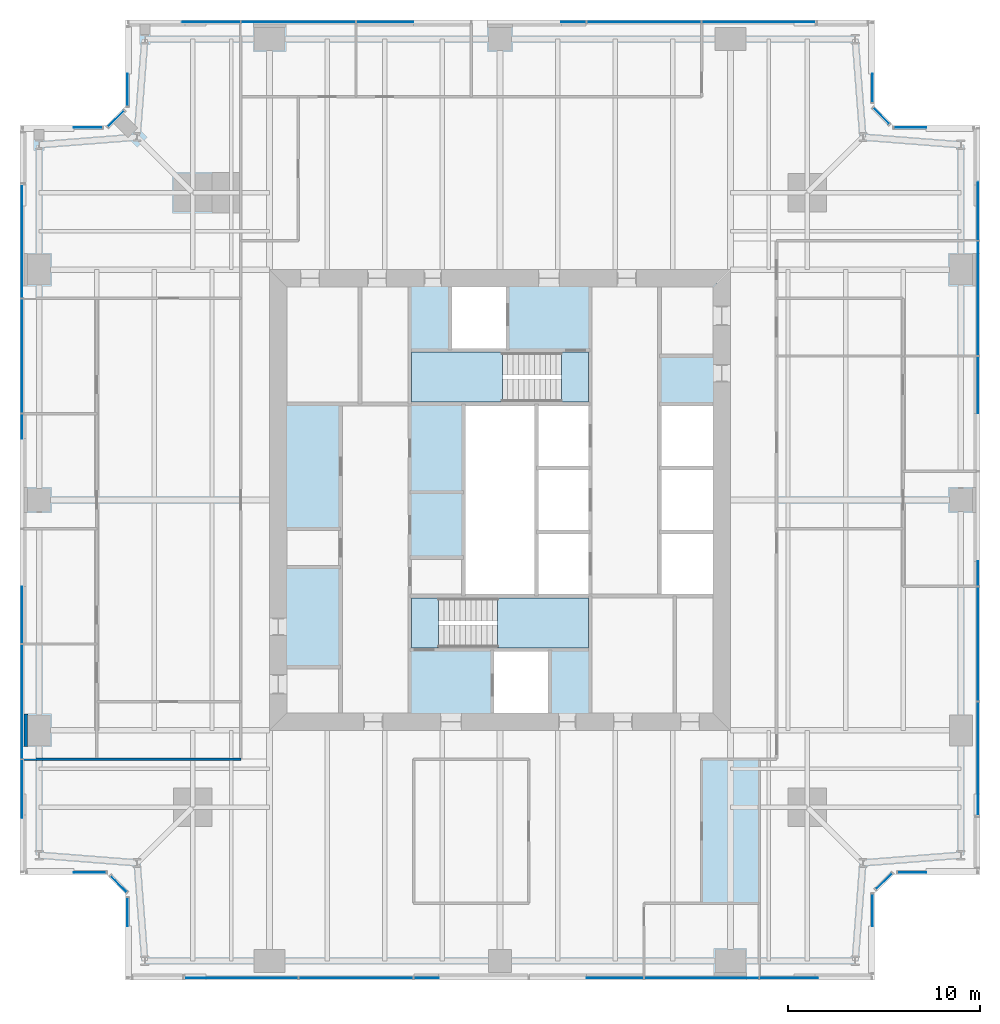
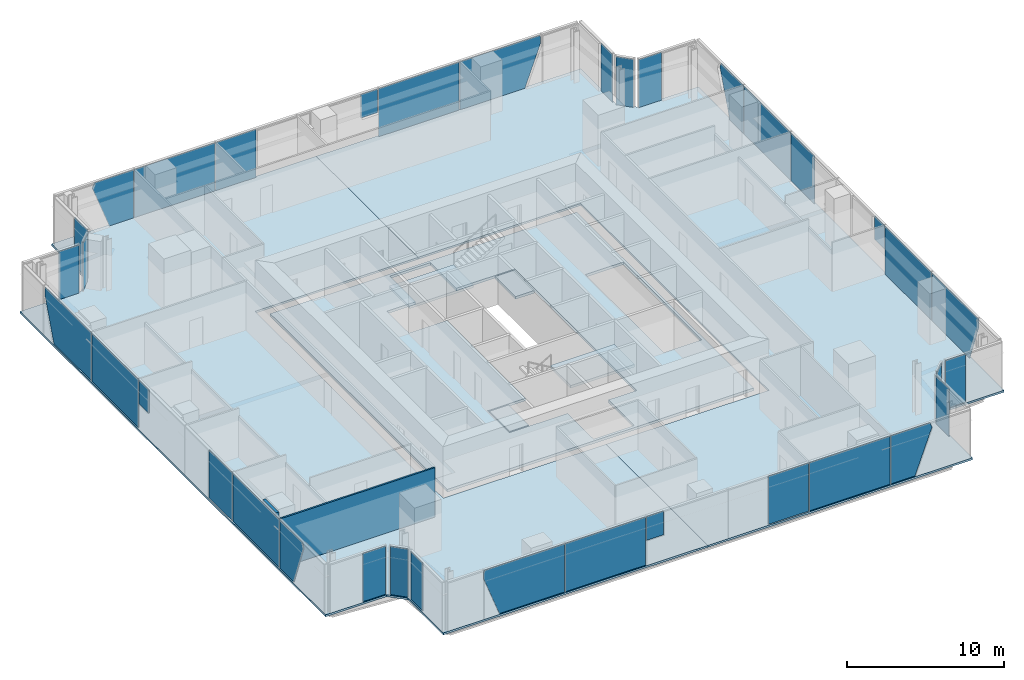
# One storey, part 8 of 16: 36 plates, 7 slabs, 2 walls, 18 elements without a shape of their own.
"""IFC4 building model written with IfcOpenShell, lengths in metres."""

import ifcopenshell
import ifcopenshell.guid

model = None  # the IFC model being written
_history = None  # IfcOwnerHistory: only IFC2X3 demands one
_inside = {}  # id of a spatial element -> (the spatial element, [elements in it])
_under = {}  # id of a project, library or spatial element -> (it, [spatial elements below it])
_declared = {}  # id of a project -> (the project, [libraries it declares])
_typed = {}  # id of a type object -> (the type object, [elements of that type])
_made_of = {}  # id of a material, layer set ... -> (it, [elements and type objects made of it])


def new_model(schema):
    """Start an empty IFC model of exactly this schema.

    Asked for "IFC4X3", IfcOpenShell would pick the latest addendum, in which some entities
    have other attributes; the version numbers below select the first issue.
    IFC2X3 requires an IfcOwnerHistory on every rooted entity: one is made here for all.
    """
    global model, _history
    if schema == "IFC4X3":
        model = ifcopenshell.file(schema_version=(4, 3, 0, 0))
    else:
        model = ifcopenshell.file(schema=schema)
    _inside.clear()
    _under.clear()
    _declared.clear()
    _typed.clear()
    _made_of.clear()
    _history = None
    if model.schema == "IFC2X3":
        org = make("IfcOrganization", Name="unknown")
        user = make(
            "IfcPersonAndOrganization",
            ThePerson=make("IfcPerson", FamilyName="unknown"),
            TheOrganization=org,
        )
        app = make(
            "IfcApplication",
            ApplicationDeveloper=org,
            Version="unknown",
            ApplicationFullName="unknown",
            ApplicationIdentifier="unknown",
        )
        _history = make(
            "IfcOwnerHistory",
            OwningUser=user,
            OwningApplication=app,
            ChangeAction="ADDED",
            CreationDate=0,
        )
    return model


def make(cls, **values):
    """One entity of the class cls with the attributes given. An attribute that is None is left unset."""
    return model.create_entity(
        cls, **{name: value for name, value in values.items() if value is not None}
    )


def rooted(cls, **values):
    """An entity with a GlobalId (a new one), such as an element, a storey or a relation."""
    return make(cls, GlobalId=ifcopenshell.guid.new(), OwnerHistory=_history, **values)


def si_unit(unit_type, name, prefix=None):
    """IfcSIUnit, for example si_unit("LENGTHUNIT", "METRE", prefix="MILLI")."""
    return make("IfcSIUnit", UnitType=unit_type, Prefix=prefix, Name=name)


def assignment(units):
    """IfcUnitAssignment: the units of a project."""
    return None if units is None else make("IfcUnitAssignment", Units=units)


def point(xyz):
    """IfcCartesianPoint."""
    return None if xyz is None else make("IfcCartesianPoint", Coordinates=xyz)


def direction(xyz):
    """IfcDirection."""
    return None if xyz is None else make("IfcDirection", DirectionRatios=xyz)


def frame(location, z_axis=None, x_axis=None):
    """IfcAxis2Placement3D, a coordinate frame: its origin and axes. An axis left out is left unset."""
    return make(
        "IfcAxis2Placement3D",
        Location=point(location),
        Axis=direction(z_axis),
        RefDirection=direction(x_axis),
    )


def frame_2d(location, x_axis=None):
    """IfcAxis2Placement2D, a coordinate frame in the plane: its origin and x axis."""
    return make(
        "IfcAxis2Placement2D", Location=point(location), RefDirection=direction(x_axis)
    )


def origin():
    """The frame at (0, 0, 0) with its axes left unset."""
    return frame((0.0, 0.0, 0.0))


def origin_2d():
    """The frame at (0, 0) in the plane with its x axis left unset."""
    return frame_2d((0.0, 0.0))


def place(relative_to, where):
    """IfcLocalPlacement: puts the frame where relative to a parent placement (None: the world)."""
    return make(
        "IfcLocalPlacement", PlacementRelTo=relative_to, RelativePlacement=where
    )


def context(
    kind, dimensions, precision=None, world=None, true_north=None, identifier=None
):
    """IfcGeometricRepresentationContext, for example the 3D "Model" context."""
    return make(
        "IfcGeometricRepresentationContext",
        ContextIdentifier=identifier,
        ContextType=kind,
        CoordinateSpaceDimension=dimensions,
        Precision=precision,
        WorldCoordinateSystem=world,
        TrueNorth=true_north,
    )


def subcontext(parent, identifier, kind, view, scale=None):
    """IfcGeometricRepresentationSubContext, for example "Body" below "Model"."""
    return make(
        "IfcGeometricRepresentationSubContext",
        ContextIdentifier=identifier,
        ContextType=kind,
        ParentContext=parent,
        TargetScale=scale,
        TargetView=view,
    )


def project(units=None, contexts=None):
    """IfcProject with its units and contexts."""
    return rooted(
        "IfcProject",
        Name="project",
        RepresentationContexts=contexts,
        UnitsInContext=assignment(units),
    )


def spatial(cls, under=None, at=None, **own):
    """A site, building, storey or space (cls), placed at a placement, below another one or the project."""
    s = rooted(cls, ObjectPlacement=at, **own)
    if under is not None:
        _under.setdefault(under.id(), (under, []))[1].append(s)
    return s


def polyline(points):
    """IfcPolyline through the points."""
    return make("IfcPolyline", Points=[point(p) for p in points])


def profile(cls, at=None, kind="AREA", **sizes):
    """A parametric profile (cls). Its sizes go by their IFC names, for example OverallWidth=200.0."""
    return make(cls, ProfileType=kind, Position=at, **sizes)


def rectangle(**sizes):
    """IfcRectangleProfileDef."""
    return profile("IfcRectangleProfileDef", **sizes)


def outline(outer, holes=None, kind="AREA"):
    """IfcArbitraryClosedProfileDef: a profile drawn as a closed curve; with holes, ...WithVoids."""
    if holes is None:
        return make("IfcArbitraryClosedProfileDef", ProfileType=kind, OuterCurve=outer)
    return make(
        "IfcArbitraryProfileDefWithVoids",
        ProfileType=kind,
        OuterCurve=outer,
        InnerCurves=holes,
    )


def extrude(swept, where, along, depth):
    """IfcExtrudedAreaSolid: the profile swept, set in the frame where, extruded along a direction by depth."""
    return make(
        "IfcExtrudedAreaSolid",
        SweptArea=swept,
        Position=where,
        ExtrudedDirection=direction(along),
        Depth=depth,
    )


def shape(context_of_items, identifier, shape_type, items):
    """IfcShapeRepresentation: the items that make up one representation, for example the "Body"."""
    return make(
        "IfcShapeRepresentation",
        ContextOfItems=context_of_items,
        RepresentationIdentifier=identifier,
        RepresentationType=shape_type,
        Items=items,
    )


def material(Name=None, Category=None):
    """IfcMaterial."""
    return make("IfcMaterial", Name=Name, Category=Category)


def layer(
    of_material, thickness, ventilated=None, Name=None, Category=None, Priority=None
):
    """IfcMaterialLayer: one layer of a wall or slab, of a material (None: an air gap)."""
    return make(
        "IfcMaterialLayer",
        Material=of_material,
        LayerThickness=thickness,
        IsVentilated=ventilated,
        Name=Name,
        Category=Category,
        Priority=Priority,
    )


def layer_set(layers, Name=None):
    """IfcMaterialLayerSet."""
    return make("IfcMaterialLayerSet", MaterialLayers=layers, LayerSetName=Name)


def made_of(thing, what):
    """Note that an element or type object is made of a material, layer set ...; save() writes the relation."""
    if what is not None:
        _made_of.setdefault(what.id(), (what, []))[1].append(thing)
    return thing


def type_object(cls, material=None, **own):
    """A type object (cls), such as IfcWallType, which elements share."""
    return made_of(rooted(cls, **own), material)


def element(
    cls,
    number,
    at=None,
    inside=None,
    cuts=None,
    type_object=None,
    material=None,
    context=None,
    identifier="Body",
    shape_type=None,
    held_by="IfcProductDefinitionShape",
    body=None,
    shapes=None,
    **own,
):
    """One element of the class cls, such as IfcWall. Its Tag is "e" and its number.

    at: its placement. inside: the storey or other place that contains it. cuts: it is an
    opening in that element (IfcRelVoidsElement). A single representation is given by context,
    identifier, shape_type and body (its items); several are given by shapes. held_by: the class
    of the entity that holds the representations. save() writes the other relations.
    """
    e = rooted(cls, Tag="e%d" % number, ObjectPlacement=at, **own)
    if body is not None:
        shapes = [shape(context, identifier, shape_type, body)]
    if shapes is not None:
        e.Representation = make(held_by, Representations=shapes)
    if inside is not None:
        _inside.setdefault(inside.id(), (inside, []))[1].append(e)
    if cuts is not None:
        rooted(
            "IfcRelVoidsElement", RelatingBuildingElement=cuts, RelatedOpeningElement=e
        )
    if type_object is not None:
        _typed.setdefault(type_object.id(), (type_object, []))[1].append(e)
    return made_of(e, material)


def aggregate(whole, parts):
    """IfcRelAggregates: a whole, such as a stair, and the parts it consists of."""
    return rooted("IfcRelAggregates", RelatingObject=whole, RelatedObjects=parts)


def save(model, path):
    """Write the relations noted so far, then the file.

    IfcRelAggregates (storeys below a building ...), IfcRelContainedInSpatialStructure (elements
    in a storey), IfcRelDefinesByType, IfcRelAssociatesMaterial and IfcRelDeclares: one each for
    every whole, place, type object, material and project.
    """
    for whole, parts in _under.values():
        aggregate(whole, parts)
    for where, things in _inside.values():
        rooted(
            "IfcRelContainedInSpatialStructure",
            RelatedElements=things,
            RelatingStructure=where,
        )
    for kind, things in _typed.values():
        rooted("IfcRelDefinesByType", RelatedObjects=things, RelatingType=kind)
    for what, things in _made_of.values():
        rooted("IfcRelAssociatesMaterial", RelatedObjects=things, RelatingMaterial=what)
    for by, libraries in _declared.values():
        rooted("IfcRelDeclares", RelatingContext=by, RelatedDefinitions=libraries)
    model.write(path)


model = new_model("IFC4")

# Units and contexts
model_context = context("Model", 3, precision=1e-05, world=origin(), true_north=direction((0.0, 1.0)))
body_context = subcontext(model_context, "Body", "Model", "MODEL_VIEW")
ifc_project = project(units=[si_unit("LENGTHUNIT", "METRE"), si_unit("AREAUNIT", "SQUARE_METRE"), si_unit("VOLUMEUNIT", "CUBIC_METRE"), si_unit("PLANEANGLEUNIT", "RADIAN"), si_unit("MASSUNIT", "GRAM", prefix="KILO")], contexts=[model_context])

# Site, building, storey
site_placement = place(None, origin())
site = spatial("IfcSite", under=ifc_project, at=site_placement, CompositionType="ELEMENT")
building_placement = place(site_placement, origin())
building = spatial("IfcBuilding", under=site, at=building_placement, Name="Fenwick Lantern Interchange", CompositionType="ELEMENT")
storey_placement = place(building_placement, frame((0.0, 0.0, 181.800048828125)))
storey = spatial("IfcBuildingStorey", under=building, at=storey_placement, Name="L42", CompositionType="ELEMENT", Elevation=181.800048828125)

# Slabs
ifc_material_1 = material(Name="Concrete f'c 35 MPa", Category="concrete")
ifc_layer_1 = layer(ifc_material_1, 0.199951171875)
ifc_layer_set_1 = layer_set([ifc_layer_1], Name="CORE FLOOR SLAB 200")
slab_type_1 = type_object("IfcSlabType", Name="CORE FLOOR SLAB 200", PredefinedType="FLOOR", material=ifc_layer_set_1)
slab_1_placement = place(storey_placement, frame((0.0, 0.0, -0.199951171875)))
element("IfcSlab", 1, at=slab_1_placement, inside=storey, type_object=slab_type_1, Name="L42/SLAB/CORE", PredefinedType="FLOOR", context=body_context, shape_type="SweptSolid", body=[
    extrude(outline(polyline([(13.699951171875, 36.300048828125), (36.300048828125, 36.300048828125), (36.300048828125, 13.699951171875), (13.699951171875, 13.699951171875), (13.699951171875, 36.300048828125)]), holes=[polyline([(24.60009765625, 13.89990234375), (27.60009765625, 13.89990234375), (27.60009765625, 17.199951171875), (29.699951171875, 17.199951171875), (29.699951171875, 20.0), (29.699951171875, 23.333251953125), (29.699951171875, 26.666748046875), (29.699951171875, 30.0), (29.699951171875, 32.800048828125), (25.39990234375, 32.800048828125), (25.39990234375, 36.10009765625), (22.39990234375, 36.10009765625), (22.39990234375, 32.800048828125), (20.300048828125, 32.800048828125), (20.300048828125, 30.0), (23.10009765625, 30.0), (23.10009765625, 20.0), (20.300048828125, 20.0), (20.300048828125, 17.199951171875), (24.60009765625, 17.199951171875), (24.60009765625, 13.89990234375)]), polyline([(33.300048828125, 23.333251953125), (33.300048828125, 20.0), (36.10009765625, 20.0), (36.10009765625, 23.333251953125), (36.10009765625, 26.666748046875), (36.10009765625, 30.0), (33.300048828125, 30.0), (33.300048828125, 26.666748046875), (33.300048828125, 23.333251953125)])]), origin(), (0.0, 0.0, 1.0), 0.199951171875),
])
ifc_material_2 = material(Name="Concrete f'c 35 MPa", Category="concrete")
ifc_layer_2 = layer(ifc_material_2, 0.14990234375)
ifc_layer_set_2 = layer_set([ifc_layer_2], Name="Concrete f'c 35 MPa")
slab_type_2 = type_object("IfcSlabType", Name="FLOOR SLAB 150", PredefinedType="FLOOR", material=ifc_layer_set_2)
slab_2_placement = place(storey_placement, frame((0.0, 0.0, -0.150146484375)))
element("IfcSlab", 2, at=slab_2_placement, inside=storey, type_object=slab_type_2, Name="L42/SLAB/FW", PredefinedType="FLOOR", context=body_context, shape_type="SweptSolid", body=[
    extrude(outline(polyline([(5.5, 0.0), (5.5, 4.5), (4.5, 5.5), (0.0, 5.5), (0.0, 44.5), (4.5, 44.5), (5.5, 45.5), (5.5, 50.0), (25.0, 50.0), (25.0, 37.0), (13.0, 37.0), (13.0, 13.0), (25.0, 13.0), (25.0, 0.0), (5.5, 0.0)])), origin(), (0.0, 0.0, 1.0), 0.150146484375),
])
slab_3_placement = place(storey_placement, frame((0.0, 0.0, -0.150146484375)))
element("IfcSlab", 3, at=slab_3_placement, inside=storey, type_object=slab_type_2, Name="L42/SLAB/FE", PredefinedType="FLOOR", context=body_context, shape_type="SweptSolid", body=[
    extrude(outline(polyline([(44.5, 50.0), (44.5, 45.5), (45.5, 44.5), (50.0, 44.5), (50.0, 5.5), (45.5, 5.5), (44.5, 4.5), (44.5, 0.0), (25.0, 0.0), (25.0, 13.0), (37.0, 13.0), (37.0, 37.0), (25.0, 37.0), (25.0, 50.0), (44.5, 50.0)])), origin(), (0.0, 0.0, 1.0), 0.150146484375),
])

# Curtain wall, plates
ifc_material_3 = material(Name="Aluminium curtain wall frame", Category="aluminium")
curtain_wall_type = type_object("IfcCurtainWallType", Name="OFFICE CURTAIN WALL", PredefinedType="USERDEFINED", material=ifc_material_3)
curtain_wall_1_placement = place(storey_placement, origin())
curtain_wall_1 = element("IfcCurtainWall", 4, at=curtain_wall_1_placement, inside=storey, type_object=curtain_wall_type, Name="Office curtain wall 01", ObjectType="OFFICE CURTAIN WALL", PredefinedType="USERDEFINED")
ifc_material_4 = material(Name="Vision glass, clear low-iron double glazed", Category="glass")
ifc_layer_3 = layer(ifc_material_4, 0.031982421875)
ifc_layer_set_3 = layer_set([ifc_layer_3], Name="OFFICE CURTAIN WALL PANEL 32")
plate_type = type_object("IfcPlateType", Name="OFFICE CURTAIN WALL PANEL 32", PredefinedType="CURTAIN_PANEL", material=ifc_layer_set_3)
plate_1_placement = place(storey_placement, frame((5.60009765625, 0.10009765625, 0.0), z_axis=(0.0, 0.0, 1.0), x_axis=(1.0, 0.0, 0.0)))
plate_1 = element("IfcPlate", 5, at=plate_1_placement, type_object=plate_type, Name="L42/CW/01/P01a", PredefinedType="CURTAIN_PANEL", context=body_context, shape_type="SweptSolid", body=[
    extrude(outline(polyline([(4.08154296875, 0.0), (8.867431640625, 0.0), (8.867431640625, 3.75), (2.987548828125, 3.75), (2.9326171875, 3.614501953125), (2.9326171875, 3.092041015625), (4.08154296875, 0.0)])), frame((0.0, 0.01611328125, 0.0), z_axis=(0.0, -1.0, 0.0), x_axis=(1.0, 0.0, 0.0)), (0.0, 0.0, 1.0), 0.031982421875),
])
plate_2_placement = place(storey_placement, frame((17.5, 0.10009765625, 0.0), z_axis=(0.0, 0.0, 1.0), x_axis=(1.0, 0.0, 0.0)))
plate_2 = element("IfcPlate", 6, at=plate_2_placement, type_object=plate_type, Name="L42/CW/01/P02", PredefinedType="CURTAIN_PANEL", context=body_context, shape_type="SweptSolid", body=[
    extrude(rectangle(XDim=5.93505859375, YDim=0.031982421875, at=origin_2d()), origin(), (0.0, 0.0, 1.0), 3.75),
])
plate_3_placement = place(storey_placement, frame((5.60009765625, 0.10009765625, 1.90771484375), z_axis=(0.0, 0.0, 1.0), x_axis=(1.0, 0.0, 0.0)))
plate_3 = element("IfcPlate", 7, at=plate_3_placement, type_object=plate_type, Name="L42/CW/01/P03a", PredefinedType="CURTAIN_PANEL", context=body_context, shape_type="SweptSolid", body=[
    extrude(outline(polyline([(14.9326171875, 0.0), (16.197509765625, 0.0), (16.197509765625, 1.84228515625), (14.9326171875, 1.84228515625), (14.9326171875, 0.0)])), frame((0.0, 0.01611328125, 0.0), z_axis=(0.0, -1.0, 0.0), x_axis=(1.0, 0.0, 0.0)), (0.0, 0.0, 1.0), 0.031982421875),
])
plate_4_placement = place(storey_placement, frame((5.60009765625, 0.10009765625, 0.001953125), z_axis=(0.0, 0.0, 1.0), x_axis=(1.0, 0.0, 0.0)))
plate_4 = element("IfcPlate", 8, at=plate_4_placement, type_object=plate_type, Name="L42/CW/01/P04a", PredefinedType="CURTAIN_PANEL", context=body_context, shape_type="SweptSolid", body=[
    extrude(outline(polyline([(23.909912109375, 0.0), (26.867431640625, 0.0), (26.867431640625, 3.748046875), (23.909912109375, 3.748046875), (23.909912109375, 0.0)])), frame((0.0, 0.01611328125, 0.0), z_axis=(0.0, -1.0, 0.0), x_axis=(1.0, 0.0, 0.0)), (0.0, 0.0, 1.0), 0.031982421875),
])
plate_5_placement = place(storey_placement, frame((35.5, 0.10009765625, 0.0), z_axis=(0.0, 0.0, 1.0), x_axis=(1.0, 0.0, 0.0)))
plate_5 = element("IfcPlate", 9, at=plate_5_placement, type_object=plate_type, Name="L42/CW/01/P05", PredefinedType="CURTAIN_PANEL", context=body_context, shape_type="SweptSolid", body=[
    extrude(rectangle(XDim=5.93505859375, YDim=0.031982421875, at=origin_2d()), origin(), (0.0, 0.0, 1.0), 3.75),
])
plate_6_placement = place(storey_placement, frame((5.60009765625, 0.10009765625, 0.0), z_axis=(0.0, 0.0, 1.0), x_axis=(1.0, 0.0, 0.0)))
plate_6 = element("IfcPlate", 10, at=plate_6_placement, type_object=plate_type, Name="L42/CW/01/P06a", PredefinedType="CURTAIN_PANEL", context=body_context, shape_type="SweptSolid", body=[
    extrude(outline(polyline([(32.9326171875, 0.0), (34.718505859375, 0.0), (35.968994140625, 3.364990234375), (35.8125, 3.75), (32.9326171875, 3.75), (32.9326171875, 0.0)])), frame((0.0, 0.01611328125, 0.0), z_axis=(0.0, -1.0, 0.0), x_axis=(1.0, 0.0, 0.0)), (0.0, 0.0, 1.0), 0.031982421875),
])
aggregate(curtain_wall_1, [plate_1, plate_2, plate_3, plate_4, plate_5, plate_6])

# Curtain wall, plate
curtain_wall_2_placement = place(storey_placement, origin())
curtain_wall_2 = element("IfcCurtainWall", 11, at=curtain_wall_2_placement, inside=storey, type_object=curtain_wall_type, Name="Office curtain wall 02", ObjectType="OFFICE CURTAIN WALL", PredefinedType="USERDEFINED")
plate_7_placement = place(storey_placement, frame((44.39990234375, 0.10009765625, 0.0), z_axis=(0.0, 0.0, 1.0), x_axis=(0.0, 1.0, 0.0)))
plate_7 = element("IfcPlate", 12, at=plate_7_placement, type_object=plate_type, Name="L42/CW/02/P00a", PredefinedType="CURTAIN_PANEL", context=body_context, shape_type="SweptSolid", body=[
    extrude(outline(polyline([(2.699951171875, 0.0), (4.37646484375, 0.0), (4.37646484375, 3.75), (2.699951171875, 3.75), (2.699951171875, 0.0)])), frame((0.0, 0.01611328125, 0.0), z_axis=(0.0, -1.0, 0.0), x_axis=(1.0, 0.0, 0.0)), (0.0, 0.0, 1.0), 0.031982421875),
])
aggregate(curtain_wall_2, [plate_7])

curtain_wall_3_placement = place(storey_placement, origin())
curtain_wall_3 = element("IfcCurtainWall", 13, at=curtain_wall_3_placement, inside=storey, type_object=curtain_wall_type, Name="Office curtain wall 03", ObjectType="OFFICE CURTAIN WALL", PredefinedType="USERDEFINED")
plate_8_placement = place(storey_placement, frame((45.0, 5.141357421875, 0.0), z_axis=(0.0, 0.0, 1.0), x_axis=(0.707106781187, 0.707106781187, 0.0)))
plate_8 = element("IfcPlate", 14, at=plate_8_placement, type_object=plate_type, Name="L42/CW/03/P00", PredefinedType="CURTAIN_PANEL", context=body_context, shape_type="SweptSolid", body=[
    extrude(rectangle(XDim=1.1669921875, YDim=0.031982421875, at=origin_2d()), origin(), (0.0, 0.0, 1.0), 3.75),
])
aggregate(curtain_wall_3, [plate_8])

curtain_wall_4_placement = place(storey_placement, origin())
curtain_wall_4 = element("IfcCurtainWall", 15, at=curtain_wall_4_placement, inside=storey, type_object=curtain_wall_type, Name="Office curtain wall 04", ObjectType="OFFICE CURTAIN WALL", PredefinedType="USERDEFINED")
plate_9_placement = place(storey_placement, frame((45.45849609375, 5.60009765625, 0.0), z_axis=(0.0, 0.0, 1.0), x_axis=(1.0, 0.0, 0.0)))
plate_9 = element("IfcPlate", 16, at=plate_9_placement, type_object=plate_type, Name="L42/CW/04/P00a", PredefinedType="CURTAIN_PANEL", context=body_context, shape_type="SweptSolid", body=[
    extrude(outline(polyline([(0.264892578125, 0.0), (1.741455078125, 0.0), (1.741455078125, 3.75), (0.264892578125, 3.75), (0.264892578125, 0.0)])), frame((0.0, 0.01611328125, 0.0), z_axis=(0.0, -1.0, 0.0), x_axis=(1.0, 0.0, 0.0)), (0.0, 0.0, 1.0), 0.031982421875),
])
aggregate(curtain_wall_4, [plate_9])

# Curtain wall, plates
curtain_wall_5_placement = place(storey_placement, origin())
curtain_wall_5 = element("IfcCurtainWall", 17, at=curtain_wall_5_placement, inside=storey, type_object=curtain_wall_type, Name="Office curtain wall 05", ObjectType="OFFICE CURTAIN WALL", PredefinedType="USERDEFINED")
plate_10_placement = place(storey_placement, frame((49.89990234375, 5.60009765625, 0.0), z_axis=(0.0, 0.0, 1.0), x_axis=(0.0, 1.0, 0.0)))
plate_10 = element("IfcPlate", 18, at=plate_10_placement, type_object=plate_type, Name="L42/CW/05/P01a", PredefinedType="CURTAIN_PANEL", context=body_context, shape_type="SweptSolid", body=[
    extrude(outline(polyline([(4.08154296875, 0.0), (8.867431640625, 0.0), (8.867431640625, 3.75), (2.987548828125, 3.75), (2.9326171875, 3.614501953125), (2.9326171875, 3.092041015625), (4.08154296875, 0.0)])), frame((0.0, 0.01611328125, 0.0), z_axis=(0.0, -1.0, 0.0), x_axis=(1.0, 0.0, 0.0)), (0.0, 0.0, 1.0), 0.031982421875),
])
plate_11_placement = place(storey_placement, frame((49.89990234375, 17.5, 0.0), z_axis=(0.0, 0.0, 1.0), x_axis=(0.0, 1.0, 0.0)))
plate_11 = element("IfcPlate", 19, at=plate_11_placement, type_object=plate_type, Name="L42/CW/05/P02", PredefinedType="CURTAIN_PANEL", context=body_context, shape_type="SweptSolid", body=[
    extrude(rectangle(XDim=5.93505859375, YDim=0.031982421875, at=origin_2d()), origin(), (0.0, 0.0, 1.0), 3.75),
])
plate_12_placement = place(storey_placement, frame((49.89990234375, 5.60009765625, 1.90771484375), z_axis=(0.0, 0.0, 1.0), x_axis=(0.0, 1.0, 0.0)))
plate_12 = element("IfcPlate", 20, at=plate_12_placement, type_object=plate_type, Name="L42/CW/05/P03a", PredefinedType="CURTAIN_PANEL", context=body_context, shape_type="SweptSolid", body=[
    extrude(outline(polyline([(14.9326171875, 0.0), (16.197509765625, 0.0), (16.197509765625, 1.84228515625), (14.9326171875, 1.84228515625), (14.9326171875, 0.0)])), frame((0.0, 0.01611328125, 0.0), z_axis=(0.0, -1.0, 0.0), x_axis=(1.0, 0.0, 0.0)), (0.0, 0.0, 1.0), 0.031982421875),
])
plate_13_placement = place(storey_placement, frame((49.89990234375, 5.60009765625, 0.001953125), z_axis=(0.0, 0.0, 1.0), x_axis=(0.0, 1.0, 0.0)))
plate_13 = element("IfcPlate", 21, at=plate_13_placement, type_object=plate_type, Name="L42/CW/05/P04a", PredefinedType="CURTAIN_PANEL", context=body_context, shape_type="SweptSolid", body=[
    extrude(outline(polyline([(23.909912109375, 0.0), (26.867431640625, 0.0), (26.867431640625, 3.748046875), (23.909912109375, 3.748046875), (23.909912109375, 0.0)])), frame((0.0, 0.01611328125, 0.0), z_axis=(0.0, -1.0, 0.0), x_axis=(1.0, 0.0, 0.0)), (0.0, 0.0, 1.0), 0.031982421875),
])
plate_14_placement = place(storey_placement, frame((49.89990234375, 35.5, 0.0), z_axis=(0.0, 0.0, 1.0), x_axis=(0.0, 1.0, 0.0)))
plate_14 = element("IfcPlate", 22, at=plate_14_placement, type_object=plate_type, Name="L42/CW/05/P05", PredefinedType="CURTAIN_PANEL", context=body_context, shape_type="SweptSolid", body=[
    extrude(rectangle(XDim=5.93505859375, YDim=0.031982421875, at=origin_2d()), origin(), (0.0, 0.0, 1.0), 3.75),
])
plate_15_placement = place(storey_placement, frame((49.89990234375, 5.60009765625, 0.0), z_axis=(0.0, 0.0, 1.0), x_axis=(0.0, 1.0, 0.0)))
plate_15 = element("IfcPlate", 23, at=plate_15_placement, type_object=plate_type, Name="L42/CW/05/P06a", PredefinedType="CURTAIN_PANEL", context=body_context, shape_type="SweptSolid", body=[
    extrude(outline(polyline([(32.9326171875, 0.0), (34.718505859375, 0.0), (35.968994140625, 3.364990234375), (35.8125, 3.75), (32.9326171875, 3.75), (32.9326171875, 0.0)])), frame((0.0, 0.01611328125, 0.0), z_axis=(0.0, -1.0, 0.0), x_axis=(1.0, 0.0, 0.0)), (0.0, 0.0, 1.0), 0.031982421875),
])
aggregate(curtain_wall_5, [plate_10, plate_11, plate_12, plate_13, plate_14, plate_15])

# Curtain wall, plate
curtain_wall_6_placement = place(storey_placement, origin())
curtain_wall_6 = element("IfcCurtainWall", 24, at=curtain_wall_6_placement, inside=storey, type_object=curtain_wall_type, Name="Office curtain wall 06", ObjectType="OFFICE CURTAIN WALL", PredefinedType="USERDEFINED")
plate_16_placement = place(storey_placement, frame((49.89990234375, 44.39990234375, 0.0), z_axis=(0.0, 0.0, 1.0), x_axis=(-1.0, 0.0, 0.0)))
plate_16 = element("IfcPlate", 25, at=plate_16_placement, type_object=plate_type, Name="L42/CW/06/P00a", PredefinedType="CURTAIN_PANEL", context=body_context, shape_type="SweptSolid", body=[
    extrude(outline(polyline([(2.699951171875, 0.0), (4.37646484375, 0.0), (4.37646484375, 3.75), (2.699951171875, 3.75), (2.699951171875, 0.0)])), frame((0.0, 0.01611328125, 0.0), z_axis=(0.0, -1.0, 0.0), x_axis=(1.0, 0.0, 0.0)), (0.0, 0.0, 1.0), 0.031982421875),
])
aggregate(curtain_wall_6, [plate_16])

curtain_wall_7_placement = place(storey_placement, origin())
curtain_wall_7 = element("IfcCurtainWall", 26, at=curtain_wall_7_placement, inside=storey, type_object=curtain_wall_type, Name="Office curtain wall 07", ObjectType="OFFICE CURTAIN WALL", PredefinedType="USERDEFINED")
plate_17_placement = place(storey_placement, frame((44.858642578125, 45.0, 0.0), z_axis=(0.0, 0.0, 1.0), x_axis=(-0.707106781187, 0.707106781187, 0.0)))
plate_17 = element("IfcPlate", 27, at=plate_17_placement, type_object=plate_type, Name="L42/CW/07/P00", PredefinedType="CURTAIN_PANEL", context=body_context, shape_type="SweptSolid", body=[
    extrude(rectangle(XDim=1.1669921875, YDim=0.031982421875, at=origin_2d()), origin(), (0.0, 0.0, 1.0), 3.75),
])
aggregate(curtain_wall_7, [plate_17])

curtain_wall_8_placement = place(storey_placement, origin())
curtain_wall_8 = element("IfcCurtainWall", 28, at=curtain_wall_8_placement, inside=storey, type_object=curtain_wall_type, Name="Office curtain wall 08", ObjectType="OFFICE CURTAIN WALL", PredefinedType="USERDEFINED")
plate_18_placement = place(storey_placement, frame((44.39990234375, 45.45849609375, 0.0), z_axis=(0.0, 0.0, 1.0), x_axis=(0.0, 1.0, 0.0)))
plate_18 = element("IfcPlate", 29, at=plate_18_placement, type_object=plate_type, Name="L42/CW/08/P00a", PredefinedType="CURTAIN_PANEL", context=body_context, shape_type="SweptSolid", body=[
    extrude(outline(polyline([(0.264892578125, 0.0), (1.741455078125, 0.0), (1.741455078125, 3.75), (0.264892578125, 3.75), (0.264892578125, 0.0)])), frame((0.0, 0.01611328125, 0.0), z_axis=(0.0, -1.0, 0.0), x_axis=(1.0, 0.0, 0.0)), (0.0, 0.0, 1.0), 0.031982421875),
])
aggregate(curtain_wall_8, [plate_18])

# Curtain wall, plates
curtain_wall_9_placement = place(storey_placement, origin())
curtain_wall_9 = element("IfcCurtainWall", 30, at=curtain_wall_9_placement, inside=storey, type_object=curtain_wall_type, Name="Office curtain wall 09", ObjectType="OFFICE CURTAIN WALL", PredefinedType="USERDEFINED")
plate_19_placement = place(storey_placement, frame((44.39990234375, 49.89990234375, 0.0), z_axis=(0.0, 0.0, 1.0), x_axis=(-1.0, 0.0, 0.0)))
plate_19 = element("IfcPlate", 31, at=plate_19_placement, type_object=plate_type, Name="L42/CW/09/P01a", PredefinedType="CURTAIN_PANEL", context=body_context, shape_type="SweptSolid", body=[
    extrude(outline(polyline([(4.08154296875, 0.0), (8.867431640625, 0.0), (8.867431640625, 3.75), (2.987548828125, 3.75), (2.9326171875, 3.614501953125), (2.9326171875, 3.092041015625), (4.08154296875, 0.0)])), frame((0.0, 0.01611328125, 0.0), z_axis=(0.0, -1.0, 0.0), x_axis=(1.0, 0.0, 0.0)), (0.0, 0.0, 1.0), 0.031982421875),
])
plate_20_placement = place(storey_placement, frame((32.5, 49.89990234375, 0.0), z_axis=(0.0, 0.0, 1.0), x_axis=(-1.0, 0.0, 0.0)))
plate_20 = element("IfcPlate", 32, at=plate_20_placement, type_object=plate_type, Name="L42/CW/09/P02", PredefinedType="CURTAIN_PANEL", context=body_context, shape_type="SweptSolid", body=[
    extrude(rectangle(XDim=5.93505859375, YDim=0.031982421875, at=origin_2d()), origin(), (0.0, 0.0, 1.0), 3.75),
])
plate_21_placement = place(storey_placement, frame((44.39990234375, 49.89990234375, 1.90771484375), z_axis=(0.0, 0.0, 1.0), x_axis=(-1.0, 0.0, 0.0)))
plate_21 = element("IfcPlate", 33, at=plate_21_placement, type_object=plate_type, Name="L42/CW/09/P03a", PredefinedType="CURTAIN_PANEL", context=body_context, shape_type="SweptSolid", body=[
    extrude(outline(polyline([(14.9326171875, 0.0), (16.197509765625, 0.0), (16.197509765625, 1.84228515625), (14.9326171875, 1.84228515625), (14.9326171875, 0.0)])), frame((0.0, 0.01611328125, 0.0), z_axis=(0.0, -1.0, 0.0), x_axis=(1.0, 0.0, 0.0)), (0.0, 0.0, 1.0), 0.031982421875),
])
plate_22_placement = place(storey_placement, frame((44.39990234375, 49.89990234375, 0.001953125), z_axis=(0.0, 0.0, 1.0), x_axis=(-1.0, 0.0, 0.0)))
plate_22 = element("IfcPlate", 34, at=plate_22_placement, type_object=plate_type, Name="L42/CW/09/P04a", PredefinedType="CURTAIN_PANEL", context=body_context, shape_type="SweptSolid", body=[
    extrude(outline(polyline([(23.909912109375, 0.0), (26.867431640625, 0.0), (26.867431640625, 3.748046875), (23.909912109375, 3.748046875), (23.909912109375, 0.0)])), frame((0.0, 0.01611328125, 0.0), z_axis=(0.0, -1.0, 0.0), x_axis=(1.0, 0.0, 0.0)), (0.0, 0.0, 1.0), 0.031982421875),
])
plate_23_placement = place(storey_placement, frame((14.5, 49.89990234375, 0.0), z_axis=(0.0, 0.0, 1.0), x_axis=(-1.0, 0.0, 0.0)))
plate_23 = element("IfcPlate", 35, at=plate_23_placement, type_object=plate_type, Name="L42/CW/09/P05", PredefinedType="CURTAIN_PANEL", context=body_context, shape_type="SweptSolid", body=[
    extrude(rectangle(XDim=5.93505859375, YDim=0.031982421875, at=origin_2d()), origin(), (0.0, 0.0, 1.0), 3.75),
])
plate_24_placement = place(storey_placement, frame((44.39990234375, 49.89990234375, 0.0), z_axis=(0.0, 0.0, 1.0), x_axis=(-1.0, 0.0, 0.0)))
plate_24 = element("IfcPlate", 36, at=plate_24_placement, type_object=plate_type, Name="L42/CW/09/P06a", PredefinedType="CURTAIN_PANEL", context=body_context, shape_type="SweptSolid", body=[
    extrude(outline(polyline([(32.9326171875, 0.0), (34.718505859375, 0.0), (35.968994140625, 3.364990234375), (35.8125, 3.75), (32.9326171875, 3.75), (32.9326171875, 0.0)])), frame((0.0, 0.01611328125, 0.0), z_axis=(0.0, -1.0, 0.0), x_axis=(1.0, 0.0, 0.0)), (0.0, 0.0, 1.0), 0.031982421875),
])
aggregate(curtain_wall_9, [plate_19, plate_20, plate_21, plate_22, plate_23, plate_24])

# Curtain wall, plate
curtain_wall_10_placement = place(storey_placement, origin())
curtain_wall_10 = element("IfcCurtainWall", 37, at=curtain_wall_10_placement, inside=storey, type_object=curtain_wall_type, Name="Office curtain wall 10", ObjectType="OFFICE CURTAIN WALL", PredefinedType="USERDEFINED")
plate_25_placement = place(storey_placement, frame((5.60009765625, 49.89990234375, 0.0), z_axis=(0.0, 0.0, 1.0), x_axis=(0.0, -1.0, 0.0)))
plate_25 = element("IfcPlate", 38, at=plate_25_placement, type_object=plate_type, Name="L42/CW/10/P00a", PredefinedType="CURTAIN_PANEL", context=body_context, shape_type="SweptSolid", body=[
    extrude(outline(polyline([(2.699951171875, 0.0), (4.37646484375, 0.0), (4.37646484375, 3.75), (2.699951171875, 3.75), (2.699951171875, 0.0)])), frame((0.0, 0.01611328125, 0.0), z_axis=(0.0, -1.0, 0.0), x_axis=(1.0, 0.0, 0.0)), (0.0, 0.0, 1.0), 0.031982421875),
])
aggregate(curtain_wall_10, [plate_25])

curtain_wall_11_placement = place(storey_placement, origin())
curtain_wall_11 = element("IfcCurtainWall", 39, at=curtain_wall_11_placement, inside=storey, type_object=curtain_wall_type, Name="Office curtain wall 11", ObjectType="OFFICE CURTAIN WALL", PredefinedType="USERDEFINED")
plate_26_placement = place(storey_placement, frame((5.0, 44.858642578125, 0.0), z_axis=(0.0, 0.0, 1.0), x_axis=(-0.707106781187, -0.707106781187, 0.0)))
plate_26 = element("IfcPlate", 40, at=plate_26_placement, type_object=plate_type, Name="L42/CW/11/P00", PredefinedType="CURTAIN_PANEL", context=body_context, shape_type="SweptSolid", body=[
    extrude(rectangle(XDim=1.1669921875, YDim=0.031982421875, at=origin_2d()), origin(), (0.0, 0.0, 1.0), 3.75),
])
aggregate(curtain_wall_11, [plate_26])

curtain_wall_12_placement = place(storey_placement, origin())
curtain_wall_12 = element("IfcCurtainWall", 41, at=curtain_wall_12_placement, inside=storey, type_object=curtain_wall_type, Name="Office curtain wall 12", ObjectType="OFFICE CURTAIN WALL", PredefinedType="USERDEFINED")
plate_27_placement = place(storey_placement, frame((4.54150390625, 44.39990234375, 0.0), z_axis=(0.0, 0.0, 1.0), x_axis=(-1.0, 0.0, 0.0)))
plate_27 = element("IfcPlate", 42, at=plate_27_placement, type_object=plate_type, Name="L42/CW/12/P00a", PredefinedType="CURTAIN_PANEL", context=body_context, shape_type="SweptSolid", body=[
    extrude(outline(polyline([(0.264892578125, 0.0), (1.741455078125, 0.0), (1.741455078125, 3.75), (0.264892578125, 3.75), (0.264892578125, 0.0)])), frame((0.0, 0.01611328125, 0.0), z_axis=(0.0, -1.0, 0.0), x_axis=(1.0, 0.0, 0.0)), (0.0, 0.0, 1.0), 0.031982421875),
])
aggregate(curtain_wall_12, [plate_27])

# Curtain wall, plates
curtain_wall_13_placement = place(storey_placement, origin())
curtain_wall_13 = element("IfcCurtainWall", 43, at=curtain_wall_13_placement, inside=storey, type_object=curtain_wall_type, Name="Office curtain wall 13", ObjectType="OFFICE CURTAIN WALL", PredefinedType="USERDEFINED")
plate_28_placement = place(storey_placement, frame((0.10009765625, 44.39990234375, 0.0), z_axis=(0.0, 0.0, 1.0), x_axis=(0.0, -1.0, 0.0)))
plate_28 = element("IfcPlate", 44, at=plate_28_placement, type_object=plate_type, Name="L42/CW/13/P01a", PredefinedType="CURTAIN_PANEL", context=body_context, shape_type="SweptSolid", body=[
    extrude(outline(polyline([(4.08154296875, 0.0), (8.867431640625, 0.0), (8.867431640625, 3.75), (2.987548828125, 3.75), (2.9326171875, 3.614501953125), (2.9326171875, 3.092041015625), (4.08154296875, 0.0)])), frame((0.0, 0.01611328125, 0.0), z_axis=(0.0, -1.0, 0.0), x_axis=(1.0, 0.0, 0.0)), (0.0, 0.0, 1.0), 0.031982421875),
])
plate_29_placement = place(storey_placement, frame((0.10009765625, 32.5, 0.0), z_axis=(0.0, 0.0, 1.0), x_axis=(0.0, -1.0, 0.0)))
plate_29 = element("IfcPlate", 45, at=plate_29_placement, type_object=plate_type, Name="L42/CW/13/P02", PredefinedType="CURTAIN_PANEL", context=body_context, shape_type="SweptSolid", body=[
    extrude(rectangle(XDim=5.93505859375, YDim=0.031982421875, at=origin_2d()), origin(), (0.0, 0.0, 1.0), 3.75),
])
plate_30_placement = place(storey_placement, frame((0.10009765625, 44.39990234375, 1.90771484375), z_axis=(0.0, 0.0, 1.0), x_axis=(0.0, -1.0, 0.0)))
plate_30 = element("IfcPlate", 46, at=plate_30_placement, type_object=plate_type, Name="L42/CW/13/P03a", PredefinedType="CURTAIN_PANEL", context=body_context, shape_type="SweptSolid", body=[
    extrude(outline(polyline([(14.9326171875, 0.0), (16.197509765625, 0.0), (16.197509765625, 1.84228515625), (14.9326171875, 1.84228515625), (14.9326171875, 0.0)])), frame((0.0, 0.01611328125, 0.0), z_axis=(0.0, -1.0, 0.0), x_axis=(1.0, 0.0, 0.0)), (0.0, 0.0, 1.0), 0.031982421875),
])
plate_31_placement = place(storey_placement, frame((0.10009765625, 44.39990234375, 0.001953125), z_axis=(0.0, 0.0, 1.0), x_axis=(0.0, -1.0, 0.0)))
plate_31 = element("IfcPlate", 47, at=plate_31_placement, type_object=plate_type, Name="L42/CW/13/P04a", PredefinedType="CURTAIN_PANEL", context=body_context, shape_type="SweptSolid", body=[
    extrude(outline(polyline([(23.909912109375, 0.0), (26.867431640625, 0.0), (26.867431640625, 3.748046875), (23.909912109375, 3.748046875), (23.909912109375, 0.0)])), frame((0.0, 0.01611328125, 0.0), z_axis=(0.0, -1.0, 0.0), x_axis=(1.0, 0.0, 0.0)), (0.0, 0.0, 1.0), 0.031982421875),
])
plate_32_placement = place(storey_placement, frame((0.10009765625, 14.5, 0.0), z_axis=(0.0, 0.0, 1.0), x_axis=(0.0, -1.0, 0.0)))
plate_32 = element("IfcPlate", 48, at=plate_32_placement, type_object=plate_type, Name="L42/CW/13/P05", PredefinedType="CURTAIN_PANEL", context=body_context, shape_type="SweptSolid", body=[
    extrude(rectangle(XDim=5.93505859375, YDim=0.031982421875, at=origin_2d()), origin(), (0.0, 0.0, 1.0), 3.75),
])
plate_33_placement = place(storey_placement, frame((0.10009765625, 44.39990234375, 0.0), z_axis=(0.0, 0.0, 1.0), x_axis=(0.0, -1.0, 0.0)))
plate_33 = element("IfcPlate", 49, at=plate_33_placement, type_object=plate_type, Name="L42/CW/13/P06a", PredefinedType="CURTAIN_PANEL", context=body_context, shape_type="SweptSolid", body=[
    extrude(outline(polyline([(32.9326171875, 0.0), (34.718505859375, 0.0), (35.968994140625, 3.364990234375), (35.8125, 3.75), (32.9326171875, 3.75), (32.9326171875, 0.0)])), frame((0.0, 0.01611328125, 0.0), z_axis=(0.0, -1.0, 0.0), x_axis=(1.0, 0.0, 0.0)), (0.0, 0.0, 1.0), 0.031982421875),
])
aggregate(curtain_wall_13, [plate_28, plate_29, plate_30, plate_31, plate_32, plate_33])

# Curtain wall, plate
curtain_wall_14_placement = place(storey_placement, origin())
curtain_wall_14 = element("IfcCurtainWall", 50, at=curtain_wall_14_placement, inside=storey, type_object=curtain_wall_type, Name="Office curtain wall 14", ObjectType="OFFICE CURTAIN WALL", PredefinedType="USERDEFINED")
plate_34_placement = place(storey_placement, frame((0.10009765625, 5.60009765625, 0.0), z_axis=(0.0, 0.0, 1.0), x_axis=(1.0, 0.0, 0.0)))
plate_34 = element("IfcPlate", 51, at=plate_34_placement, type_object=plate_type, Name="L42/CW/14/P00a", PredefinedType="CURTAIN_PANEL", context=body_context, shape_type="SweptSolid", body=[
    extrude(outline(polyline([(2.699951171875, 0.0), (4.37646484375, 0.0), (4.37646484375, 3.75), (2.699951171875, 3.75), (2.699951171875, 0.0)])), frame((0.0, 0.01611328125, 0.0), z_axis=(0.0, -1.0, 0.0), x_axis=(1.0, 0.0, 0.0)), (0.0, 0.0, 1.0), 0.031982421875),
])
aggregate(curtain_wall_14, [plate_34])

curtain_wall_15_placement = place(storey_placement, origin())
curtain_wall_15 = element("IfcCurtainWall", 52, at=curtain_wall_15_placement, inside=storey, type_object=curtain_wall_type, Name="Office curtain wall 15", ObjectType="OFFICE CURTAIN WALL", PredefinedType="USERDEFINED")
plate_35_placement = place(storey_placement, frame((5.141357421875, 5.0, 0.0), z_axis=(0.0, 0.0, 1.0), x_axis=(0.707106781187, -0.707106781187, 0.0)))
plate_35 = element("IfcPlate", 53, at=plate_35_placement, type_object=plate_type, Name="L42/CW/15/P00", PredefinedType="CURTAIN_PANEL", context=body_context, shape_type="SweptSolid", body=[
    extrude(rectangle(XDim=1.1669921875, YDim=0.031982421875, at=origin_2d()), origin(), (0.0, 0.0, 1.0), 3.75),
])
aggregate(curtain_wall_15, [plate_35])

curtain_wall_16_placement = place(storey_placement, origin())
curtain_wall_16 = element("IfcCurtainWall", 54, at=curtain_wall_16_placement, inside=storey, type_object=curtain_wall_type, Name="Office curtain wall 16", ObjectType="OFFICE CURTAIN WALL", PredefinedType="USERDEFINED")
plate_36_placement = place(storey_placement, frame((5.60009765625, 4.54150390625, 0.0), z_axis=(0.0, 0.0, 1.0), x_axis=(0.0, -1.0, 0.0)))
plate_36 = element("IfcPlate", 55, at=plate_36_placement, type_object=plate_type, Name="L42/CW/16/P00a", PredefinedType="CURTAIN_PANEL", context=body_context, shape_type="SweptSolid", body=[
    extrude(outline(polyline([(0.264892578125, 0.0), (1.741455078125, 0.0), (1.741455078125, 3.75), (0.264892578125, 3.75), (0.264892578125, 0.0)])), frame((0.0, 0.01611328125, 0.0), z_axis=(0.0, -1.0, 0.0), x_axis=(1.0, 0.0, 0.0)), (0.0, 0.0, 1.0), 0.031982421875),
])
aggregate(curtain_wall_16, [plate_36])

# Stair, slabs
ifc_material_5 = material(Name="Precast concrete f'c 35 MPa", Category="concrete")
stair_type = type_object("IfcStairType", Name="EXIT STAIR 1200", PredefinedType="HALF_TURN_STAIR", material=ifc_material_5)
stair_1_placement = place(storey_placement, origin())
stair_1 = element("IfcStair", 56, at=stair_1_placement, inside=storey, type_object=stair_type, Name="Exit stair ST1", PredefinedType="HALF_TURN_STAIR")
ifc_layer_4 = layer(ifc_material_1, 0.199951171875)
ifc_layer_set_4 = layer_set([ifc_layer_4], Name="STAIR LANDING 200")
slab_type_3 = type_object("IfcSlabType", Name="STAIR LANDING 200", PredefinedType="LANDING", material=ifc_layer_set_4)
slab_4_placement = place(storey_placement, frame((0.0, 0.0, 1.800048828125)))
slab_4 = element("IfcSlab", 57, at=slab_4_placement, type_object=slab_type_3, Name="ST1 landing 1", PredefinedType="LANDING", context=body_context, shape_type="SweptSolid", body=[
    extrude(outline(polyline([(24.8798828125, 17.300048828125), (29.60009765625, 17.300048828125), (29.60009765625, 19.89990234375), (24.8798828125, 19.89990234375), (24.8798828125, 17.300048828125)])), origin(), (0.0, 0.0, 1.0), 0.199951171875),
])
slab_5_placement = place(storey_placement, frame((0.0, 0.0, -0.199951171875)))
slab_5 = element("IfcSlab", 58, at=slab_5_placement, type_object=slab_type_3, Name="ST1 landing 2", PredefinedType="LANDING", context=body_context, shape_type="SweptSolid", body=[
    extrude(outline(polyline([(20.39990234375, 17.300048828125), (21.800048828125, 17.300048828125), (21.800048828125, 19.89990234375), (20.39990234375, 19.89990234375), (20.39990234375, 17.300048828125)])), origin(), (0.0, 0.0, 1.0), 0.199951171875),
])
aggregate(stair_1, [slab_4, slab_5])

stair_2_placement = place(storey_placement, origin())
stair_2 = element("IfcStair", 59, at=stair_2_placement, inside=storey, type_object=stair_type, Name="Exit stair ST2", PredefinedType="HALF_TURN_STAIR")
slab_6_placement = place(storey_placement, frame((0.0, 0.0, 1.800048828125)))
slab_6 = element("IfcSlab", 60, at=slab_6_placement, type_object=slab_type_3, Name="ST2 landing 1", PredefinedType="LANDING", context=body_context, shape_type="SweptSolid", body=[
    extrude(outline(polyline([(25.1201171875, 32.699951171875), (20.39990234375, 32.699951171875), (20.39990234375, 30.10009765625), (25.1201171875, 30.10009765625), (25.1201171875, 32.699951171875)])), origin(), (0.0, 0.0, 1.0), 0.199951171875),
])
slab_7_placement = place(storey_placement, frame((0.0, 0.0, -0.199951171875)))
slab_7 = element("IfcSlab", 61, at=slab_7_placement, type_object=slab_type_3, Name="ST2 landing 2", PredefinedType="LANDING", context=body_context, shape_type="SweptSolid", body=[
    extrude(outline(polyline([(29.60009765625, 32.699951171875), (28.199951171875, 32.699951171875), (28.199951171875, 30.10009765625), (29.60009765625, 30.10009765625), (29.60009765625, 32.699951171875)])), origin(), (0.0, 0.0, 1.0), 0.199951171875),
])
aggregate(stair_2, [slab_6, slab_7])

# Walls
ifc_material_6 = material(Name="Fire-rated gypsum board encasement on steel studs, 2 hour", Category="steel")
ifc_layer_5 = layer(ifc_material_6, 1.699951171875)
ifc_layer_set_5 = layer_set([ifc_layer_5], Name="COLUMN PIER 1700")
wall_type_1 = type_object("IfcWallType", Name="COLUMN PIER 1700", PredefinedType="PARTITIONING", material=ifc_layer_set_5)
wall_1_placement = place(storey_placement, frame((0.199951171875, 13.0, 0.0), z_axis=(0.0, 0.0, 1.0), x_axis=(1.0, 0.0, 0.0)))
element("IfcWall", 62, at=wall_1_placement, inside=storey, type_object=wall_type_1, Name="L42/W/PIER/CW4", PredefinedType="PARTITIONING", context=body_context, shape_type="SweptSolid", body=[
    extrude(rectangle(XDim=0.199951171875, YDim=1.699951171875, at=frame_2d((0.10009765625, 0.0))), origin(), (0.0, 0.0, 1.0), 3.849853515625),
])
ifc_material_7 = material(Name="Gypsum board on steel studs, acoustic", Category="steel")
ifc_layer_6 = layer(ifc_material_7, 0.125)
ifc_layer_set_6 = layer_set([ifc_layer_6], Name="OFFICE PARTITION 125")
wall_type_2 = type_object("IfcWallType", Name="OFFICE PARTITION 125", PredefinedType="PARTITIONING", material=ifc_layer_set_6)
wall_2_placement = place(storey_placement, frame((0.14990234375, 11.5, 0.0), z_axis=(0.0, 0.0, 1.0), x_axis=(1.0, 0.0, 0.0)))
element("IfcWall", 63, at=wall_2_placement, inside=storey, type_object=wall_type_2, Name="L42/W/OFF/S/BACK", PredefinedType="PARTITIONING", context=body_context, shape_type="SweptSolid", body=[
    extrude(rectangle(XDim=11.35009765625, YDim=0.125, at=frame_2d((5.675048828125, 0.0))), origin(), (0.0, 0.0, 1.0), 3.849853515625),
])

save(model, "model.ifc")
